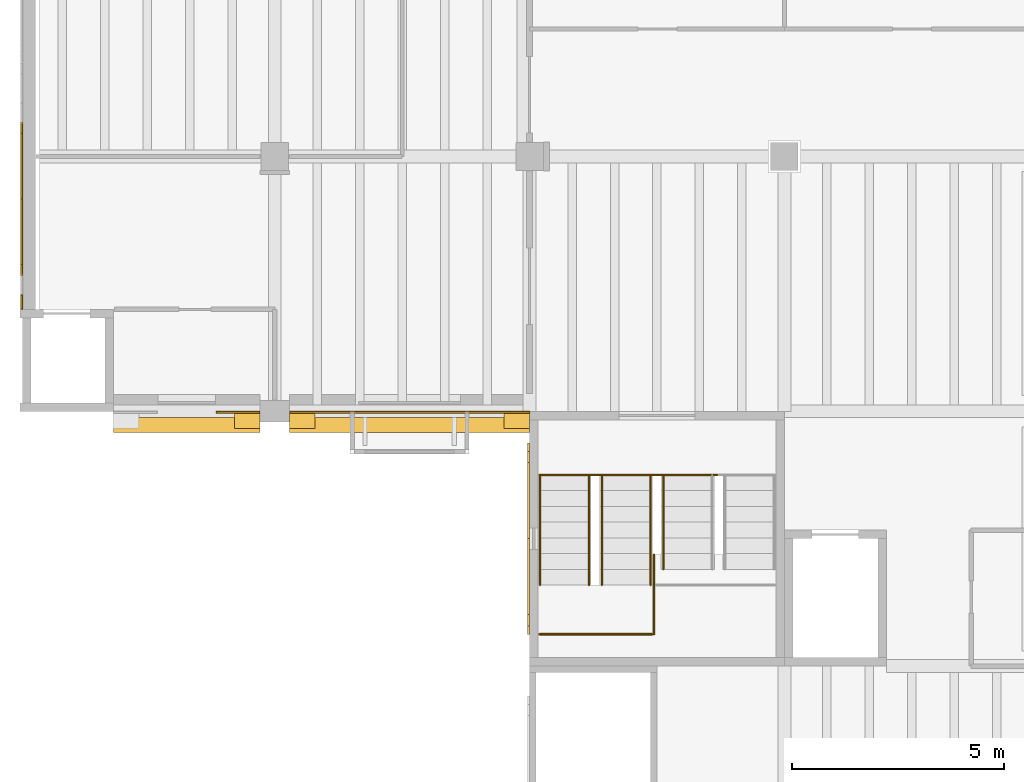
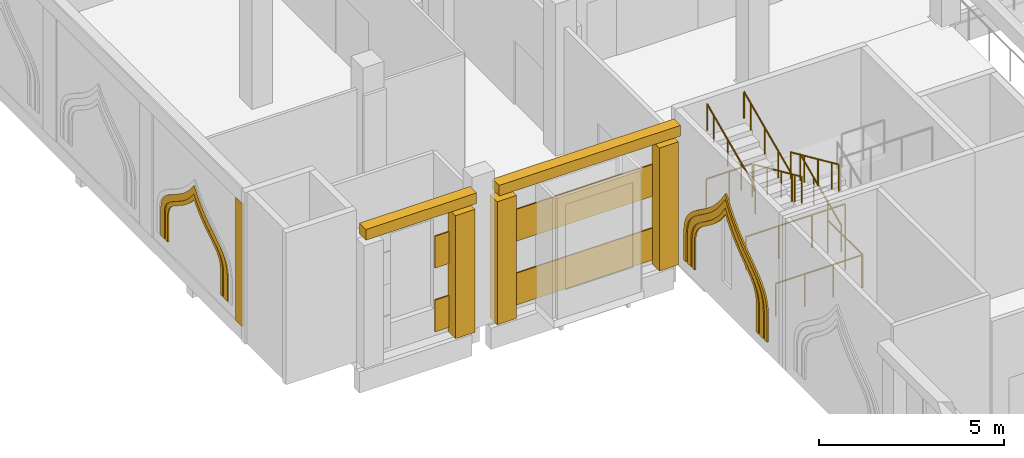
# One storey, part 73 of 80: 15 coverings, 9 railings.
"""IFC4 building model written with IfcOpenShell, lengths in metres."""

import ifcopenshell
import ifcopenshell.guid

model = None  # the IFC model being written
_history = None  # IfcOwnerHistory: only IFC2X3 demands one
_inside = {}  # id of a spatial element -> (the spatial element, [elements in it])
_under = {}  # id of a project, library or spatial element -> (it, [spatial elements below it])
_declared = {}  # id of a project -> (the project, [libraries it declares])
_typed = {}  # id of a type object -> (the type object, [elements of that type])
_made_of = {}  # id of a material, layer set ... -> (it, [elements and type objects made of it])


def new_model(schema):
    """Start an empty IFC model of exactly this schema.

    Asked for "IFC4X3", IfcOpenShell would pick the latest addendum, in which some entities
    have other attributes; the version numbers below select the first issue.
    IFC2X3 requires an IfcOwnerHistory on every rooted entity: one is made here for all.
    """
    global model, _history
    if schema == "IFC4X3":
        model = ifcopenshell.file(schema_version=(4, 3, 0, 0))
    else:
        model = ifcopenshell.file(schema=schema)
    _inside.clear()
    _under.clear()
    _declared.clear()
    _typed.clear()
    _made_of.clear()
    _history = None
    if model.schema == "IFC2X3":
        org = make("IfcOrganization", Name="unknown")
        user = make(
            "IfcPersonAndOrganization",
            ThePerson=make("IfcPerson", FamilyName="unknown"),
            TheOrganization=org,
        )
        app = make(
            "IfcApplication",
            ApplicationDeveloper=org,
            Version="unknown",
            ApplicationFullName="unknown",
            ApplicationIdentifier="unknown",
        )
        _history = make(
            "IfcOwnerHistory",
            OwningUser=user,
            OwningApplication=app,
            ChangeAction="ADDED",
            CreationDate=0,
        )
    return model


def make(cls, **values):
    """One entity of the class cls with the attributes given. An attribute that is None is left unset."""
    return model.create_entity(
        cls, **{name: value for name, value in values.items() if value is not None}
    )


def rooted(cls, **values):
    """An entity with a GlobalId (a new one), such as an element, a storey or a relation."""
    return make(cls, GlobalId=ifcopenshell.guid.new(), OwnerHistory=_history, **values)


def si_unit(unit_type, name, prefix=None):
    """IfcSIUnit, for example si_unit("LENGTHUNIT", "METRE", prefix="MILLI")."""
    return make("IfcSIUnit", UnitType=unit_type, Prefix=prefix, Name=name)


def assignment(units):
    """IfcUnitAssignment: the units of a project."""
    return None if units is None else make("IfcUnitAssignment", Units=units)


def point(xyz):
    """IfcCartesianPoint."""
    return None if xyz is None else make("IfcCartesianPoint", Coordinates=xyz)


def direction(xyz):
    """IfcDirection."""
    return None if xyz is None else make("IfcDirection", DirectionRatios=xyz)


def frame(location, z_axis=None, x_axis=None):
    """IfcAxis2Placement3D, a coordinate frame: its origin and axes. An axis left out is left unset."""
    return make(
        "IfcAxis2Placement3D",
        Location=point(location),
        Axis=direction(z_axis),
        RefDirection=direction(x_axis),
    )


def frame_2d(location, x_axis=None):
    """IfcAxis2Placement2D, a coordinate frame in the plane: its origin and x axis."""
    return make(
        "IfcAxis2Placement2D", Location=point(location), RefDirection=direction(x_axis)
    )


def origin():
    """The frame at (0, 0, 0) with its axes left unset."""
    return frame((0.0, 0.0, 0.0))


def origin_2d():
    """The frame at (0, 0) in the plane with its x axis left unset."""
    return frame_2d((0.0, 0.0))


def place(relative_to, where):
    """IfcLocalPlacement: puts the frame where relative to a parent placement (None: the world)."""
    return make(
        "IfcLocalPlacement", PlacementRelTo=relative_to, RelativePlacement=where
    )


def context(
    kind, dimensions, precision=None, world=None, true_north=None, identifier=None
):
    """IfcGeometricRepresentationContext, for example the 3D "Model" context."""
    return make(
        "IfcGeometricRepresentationContext",
        ContextIdentifier=identifier,
        ContextType=kind,
        CoordinateSpaceDimension=dimensions,
        Precision=precision,
        WorldCoordinateSystem=world,
        TrueNorth=true_north,
    )


def subcontext(parent, identifier, kind, view, scale=None):
    """IfcGeometricRepresentationSubContext, for example "Body" below "Model"."""
    return make(
        "IfcGeometricRepresentationSubContext",
        ContextIdentifier=identifier,
        ContextType=kind,
        ParentContext=parent,
        TargetScale=scale,
        TargetView=view,
    )


def project(units=None, contexts=None):
    """IfcProject with its units and contexts."""
    return rooted(
        "IfcProject",
        Name="project",
        RepresentationContexts=contexts,
        UnitsInContext=assignment(units),
    )


def spatial(cls, under=None, at=None, **own):
    """A site, building, storey or space (cls), placed at a placement, below another one or the project."""
    s = rooted(cls, ObjectPlacement=at, **own)
    if under is not None:
        _under.setdefault(under.id(), (under, []))[1].append(s)
    return s


def polyline(points):
    """IfcPolyline through the points."""
    return make("IfcPolyline", Points=[point(p) for p in points])


def profile(cls, at=None, kind="AREA", **sizes):
    """A parametric profile (cls). Its sizes go by their IFC names, for example OverallWidth=200.0."""
    return make(cls, ProfileType=kind, Position=at, **sizes)


def rectangle(**sizes):
    """IfcRectangleProfileDef."""
    return profile("IfcRectangleProfileDef", **sizes)


def circle(**sizes):
    """IfcCircleProfileDef."""
    return profile("IfcCircleProfileDef", **sizes)


def outline(outer, holes=None, kind="AREA"):
    """IfcArbitraryClosedProfileDef: a profile drawn as a closed curve; with holes, ...WithVoids."""
    if holes is None:
        return make("IfcArbitraryClosedProfileDef", ProfileType=kind, OuterCurve=outer)
    return make(
        "IfcArbitraryProfileDefWithVoids",
        ProfileType=kind,
        OuterCurve=outer,
        InnerCurves=holes,
    )


def extrude(swept, where, along, depth):
    """IfcExtrudedAreaSolid: the profile swept, set in the frame where, extruded along a direction by depth."""
    return make(
        "IfcExtrudedAreaSolid",
        SweptArea=swept,
        Position=where,
        ExtrudedDirection=direction(along),
        Depth=depth,
    )


def shape(context_of_items, identifier, shape_type, items):
    """IfcShapeRepresentation: the items that make up one representation, for example the "Body"."""
    return make(
        "IfcShapeRepresentation",
        ContextOfItems=context_of_items,
        RepresentationIdentifier=identifier,
        RepresentationType=shape_type,
        Items=items,
    )


def material(Name=None, Category=None):
    """IfcMaterial."""
    return make("IfcMaterial", Name=Name, Category=Category)


def layer(
    of_material, thickness, ventilated=None, Name=None, Category=None, Priority=None
):
    """IfcMaterialLayer: one layer of a wall or slab, of a material (None: an air gap)."""
    return make(
        "IfcMaterialLayer",
        Material=of_material,
        LayerThickness=thickness,
        IsVentilated=ventilated,
        Name=Name,
        Category=Category,
        Priority=Priority,
    )


def layer_set(layers, Name=None):
    """IfcMaterialLayerSet."""
    return make("IfcMaterialLayerSet", MaterialLayers=layers, LayerSetName=Name)


def made_of(thing, what):
    """Note that an element or type object is made of a material, layer set ...; save() writes the relation."""
    if what is not None:
        _made_of.setdefault(what.id(), (what, []))[1].append(thing)
    return thing


def type_object(cls, material=None, **own):
    """A type object (cls), such as IfcWallType, which elements share."""
    return made_of(rooted(cls, **own), material)


def element(
    cls,
    number,
    at=None,
    inside=None,
    cuts=None,
    type_object=None,
    material=None,
    context=None,
    identifier="Body",
    shape_type=None,
    held_by="IfcProductDefinitionShape",
    body=None,
    shapes=None,
    **own,
):
    """One element of the class cls, such as IfcWall. Its Tag is "e" and its number.

    at: its placement. inside: the storey or other place that contains it. cuts: it is an
    opening in that element (IfcRelVoidsElement). A single representation is given by context,
    identifier, shape_type and body (its items); several are given by shapes. held_by: the class
    of the entity that holds the representations. save() writes the other relations.
    """
    e = rooted(cls, Tag="e%d" % number, ObjectPlacement=at, **own)
    if body is not None:
        shapes = [shape(context, identifier, shape_type, body)]
    if shapes is not None:
        e.Representation = make(held_by, Representations=shapes)
    if inside is not None:
        _inside.setdefault(inside.id(), (inside, []))[1].append(e)
    if cuts is not None:
        rooted(
            "IfcRelVoidsElement", RelatingBuildingElement=cuts, RelatedOpeningElement=e
        )
    if type_object is not None:
        _typed.setdefault(type_object.id(), (type_object, []))[1].append(e)
    return made_of(e, material)


def aggregate(whole, parts):
    """IfcRelAggregates: a whole, such as a stair, and the parts it consists of."""
    return rooted("IfcRelAggregates", RelatingObject=whole, RelatedObjects=parts)


def save(model, path):
    """Write the relations noted so far, then the file.

    IfcRelAggregates (storeys below a building ...), IfcRelContainedInSpatialStructure (elements
    in a storey), IfcRelDefinesByType, IfcRelAssociatesMaterial and IfcRelDeclares: one each for
    every whole, place, type object, material and project.
    """
    for whole, parts in _under.values():
        aggregate(whole, parts)
    for where, things in _inside.values():
        rooted(
            "IfcRelContainedInSpatialStructure",
            RelatedElements=things,
            RelatingStructure=where,
        )
    for kind, things in _typed.values():
        rooted("IfcRelDefinesByType", RelatedObjects=things, RelatingType=kind)
    for what, things in _made_of.values():
        rooted("IfcRelAssociatesMaterial", RelatedObjects=things, RelatingMaterial=what)
    for by, libraries in _declared.values():
        rooted("IfcRelDeclares", RelatingContext=by, RelatedDefinitions=libraries)
    model.write(path)


model = new_model("IFC4")

# Units and contexts
model_context = context("Model", 3, precision=1e-05, world=origin(), true_north=direction((0.0, 1.0)))
body_context = subcontext(model_context, "Body", "Model", "MODEL_VIEW")
ifc_project = project(units=[si_unit("LENGTHUNIT", "METRE"), si_unit("AREAUNIT", "SQUARE_METRE"), si_unit("VOLUMEUNIT", "CUBIC_METRE"), si_unit("PLANEANGLEUNIT", "RADIAN"), si_unit("MASSUNIT", "GRAM", prefix="KILO")], contexts=[model_context])

# Site, building, storey
site_placement = place(None, origin())
site = spatial("IfcSite", under=ifc_project, at=site_placement, CompositionType="ELEMENT")
building_placement = place(site_placement, origin())
building = spatial("IfcBuilding", under=site, at=building_placement, Name="Saffron Lane Theatres", CompositionType="ELEMENT")
storey_placement = place(building_placement, frame((0.0, 0.0, 7.0)))
storey = spatial("IfcBuildingStorey", under=building, at=storey_placement, Name="L01", CompositionType="ELEMENT", Elevation=7.0)

# Coverings
ifc_material_1 = material(Name="Masonry sandstone", Category="masonry")
ifc_layer_1 = layer(ifc_material_1, 0.050048828125)
ifc_layer_set_1 = layer_set([ifc_layer_1], Name="Masonry sandstone")
covering_type_1 = type_object("IfcCoveringType", Name="EX-ARCH FRAME RING SANDSTONE 50", PredefinedType="CLADDING", material=ifc_layer_set_1)
covering_1_placement = place(storey_placement, frame((12.0, 97.220947265625, 1.466064453125), z_axis=(1.0, 0.0, 0.0), x_axis=(0.0, -0.06442827163, -0.997922340573)))
element("IfcCovering", 1, at=covering_1_placement, inside=storey, type_object=covering_type_1, Name="Arch recess ring L01", PredefinedType="CLADDING", context=body_context, shape_type="SweptSolid", body=[
    extrude(outline(polyline([(0.0, 0.0), (0.17052029873114202, -1.734723475976807e-18), (1.0646548177504682, 0.057727479707130096), (1.0569158749668421, 0.17759510460018418), (0.1666794900903794, 0.12011929782910698), (0.009378312325415084, 0.11999416045256955), (-0.12631115114749694, 0.14132553905751855), (-0.24603161728210898, 0.1805686902487979), (-0.35582673200113546, 0.23659947491203814), (-0.4578891957599371, 0.3092763270207095), (-0.555794861524932, 0.3971451362776176), (-0.653316026970957, 0.49800516267527767), (-0.7518515741675732, 0.6107874953269541), (-0.8559833487339207, 0.734462372469297), (-0.9676838373063142, 0.8654773607007713), (-1.0898294518163916, 1.00291280516755), (-1.2261138421464728, 1.1433497989425043), (-1.3797199718461386, 1.2868274911490194), (-1.5533040390279798, 1.4290153595582635), (-1.7497739147406413, 1.569481016084268), (-1.8987485633254448, 1.6601689117707128), (-1.7626721527133515, 1.769260390906025), (-1.5858956842468284, 1.9338237310590929), (-1.4320364834281316, 2.0971521260967796), (-1.2981552200916107, 2.259190697337195), (-1.1810608911355616, 2.415986431955586), (-1.077601992127411, 2.5679874475964257), (-0.9836759046637523, 2.7122781832046896), (-0.8963118394619282, 2.8483164933306306), (-0.8130968822475313, 2.9728330766257725), (-0.7293548100504015, 3.0853958945498916), (-0.6435609043329518, 3.185124790918292), (-0.5516911944842918, 3.270322371595594), (-0.45001253195297086, 3.340006413039703), (-0.33633221628362797, 3.394318481277149), (-0.20451222420252907, 3.432920915118727), (-0.04850087023483576, 3.45302398997744), (0.841735514641627, 3.510499796748517), (0.8339965718580008, 3.6303674216415716), (-0.06013794716132548, 3.5726399419344412), (-0.22924258562717004, 3.5507129373808337), (-0.378596141799031, 3.507064111625651), (-0.5108079746597345, 3.444216136307078), (-0.6259724615603004, 3.3636308117286893), (-0.7289703097314318, 3.2689074104217855), (-0.8232595752236446, 3.1605566187191068), (-0.9107501759849842, 3.0416355637022074), (-0.996699979104489, 2.914006625097878), (-1.0852822112259581, 2.7778896671794207), (-1.1770785164682693, 2.6347150311334024), (-1.2787771031070279, 2.485763452567737), (-1.393199504391982, 2.333054606794249), (-1.5222947873945643, 2.1764626573449113), (-1.670393474343606, 2.018643802332316), (-1.8417002509999132, 1.8603051727976225), (-2.106324206432929, 1.6467673279258968), (-1.816438580043605, 1.469029958207694), (-1.6261934149493182, 1.3340339934919054), (-1.4590305030942705, 1.196569187182587), (-1.3108709951856827, 1.0578774753100109), (-1.1777618783988018, 0.9211498609758807), (-1.057754085662196, 0.786512180648223), (-0.9483092157791764, 0.6563301599259349), (-0.842959274293184, 0.5327339305761084), (-0.7413113717873806, 0.417216752019324), (-0.6392551998519803, 0.31053329351799586), (-0.5318160234510044, 0.21520657625605405), (-0.4174928931574932, 0.13451394113409837), (-0.29292213027195085, 0.06940650212296195), (-0.15372637343577983, 0.024081254977071236), (0.0, 0.0)])), origin(), (0.0, 0.0, -1.0), 0.050048828125),
])
covering_2_placement = place(storey_placement, frame((12.0, 96.962890625, 1.489013671875), z_axis=(1.0, 0.0, 0.0), x_axis=(0.0, -0.067277250526, -0.997734319126)))
element("IfcCovering", 2, at=covering_2_placement, inside=storey, type_object=covering_type_1, Name="Arch recess ring L01", PredefinedType="CLADDING", context=body_context, shape_type="SweptSolid", body=[
    extrude(outline(polyline([(0.0, 0.0), (0.19233029031026627, 1.734723475976807e-18), (1.0875142802486646, 0.060362279219764774), (1.0740621151654026, 0.2598604255488935), (0.18496781223338807, 0.19990877407892305), (0.015584020397099685, 0.20072197197738367), (-0.12930993244145556, 0.22300681743565523), (-0.25737744477051455, 0.26428900709195824), (-0.3738324043353903, 0.32568513851799763), (-0.4833823096412719, 0.4044308347113844), (-0.5899409854822366, 0.5005068813925055), (-0.6969186565818595, 0.6136833270214763), (-0.806455545762842, 0.7394113458537827), (-0.9222383154489977, 0.8779317362000586), (-1.0464893140129872, 1.0259136097170674), (-1.1832181277392173, 1.1811290396929053), (-1.336190755431839, 1.3413665245256616), (-1.5076131203535217, 1.5030515883918443), (-1.7018369469288772, 1.6654014043510899), (-1.9220589334515876, 1.8250193836201942), (-2.049700012736332, 1.9035239715952115), (-1.9337536117657297, 1.998453669562001), (-1.7369538320912872, 2.1861914371370204), (-1.5662836132441338, 2.3731460678639418), (-1.4181192040708015, 2.55638087603933), (-1.288043179706711, 2.735704338682526), (-1.1733897138094234, 2.9078704821698738), (-1.0701300058149192, 3.071193408419198), (-0.9739916676789238, 3.224003644458316), (-0.88232529816899, 3.363298804143827), (-0.7915099353012716, 3.489812439086117), (-0.6988140522933629, 3.5993242257405087), (-0.6008274244216893, 3.6920641156468856), (-0.493669077112157, 3.768538498045372), (-0.3723030096597413, 3.8266400003332506), (-0.23171243563903043, 3.8681750747018797), (-0.06397115480191937, 3.8917206248289538), (0.8251231481300952, 3.9516722762989245), (0.8116709830468334, 4.151170422628053), (-0.08351300689156488, 4.090808143408289), (-0.27410223554270324, 4.064987870501222), (-0.4451520913660816, 4.014302770236232), (-0.5955924629503493, 3.941027255485577), (-0.7275034510174831, 3.846978625211365), (-0.844380195010638, 3.73681510258881), (-0.9502679206038257, 3.612466173180341), (-1.0472960038489982, 3.476479898388833), (-1.1427584332134457, 3.3317901747481002), (-1.2394961329102734, 3.176981963536964), (-1.3410042423826358, 3.0167134879306374), (-1.452105235905665, 2.849925483288521), (-1.5768114889333888, 2.678060260212532), (-1.7181938772187972, 2.503113004705068), (-1.8797283259254323, 2.325828115147266), (-2.066256523608039, 2.1490601516926002), (-2.3929147724161153, 1.8803809916168037), (-2.033143501864625, 1.6579877914978223), (-1.8245728065730595, 1.5078613564498122), (-1.6407002082776134, 1.3538672728603436), (-1.4771110712833284, 1.199484255062579), (-1.3304608713065962, 1.045916604517425), (-1.197974384574279, 0.8955537098670809), (-1.0758691871722335, 0.7503634852332024), (-0.9592242541653773, 0.6099436703748589), (-0.8452014505102268, 0.4793795413270504), (-0.7307956008937585, 0.35765026200840155), (-0.6091726199284526, 0.24864238533224842), (-0.47856448398217566, 0.15516677446133414), (-0.335221619360768, 0.07967851847782517), (-0.17630589102074565, 0.02726289341672148), (0.0, 0.0)])), origin(), (0.0, 0.0, -1.0), 0.050048828125),
])
covering_3_placement = place(storey_placement, frame((12.0, 96.763916015625, 1.5029296875), z_axis=(1.0, 0.0, 0.0), x_axis=(0.0, -0.067065646472, -0.997748565052)))
element("IfcCovering", 3, at=covering_3_placement, inside=storey, type_object=covering_type_1, Name="Arch recess ring L01", PredefinedType="CLADDING", context=body_context, shape_type="SweptSolid", body=[
    extrude(outline(polyline([(0.0, 0.0), (0.2074984191926236, 1.734723475976807e-18), (1.1014772360238896, 0.06009055726342236), (1.0920952498353498, 0.19966817634906692), (0.20201388833631823, 0.13983959426717446), (0.011615956568756983, 0.14025496281157382), (-0.1545495581607764, 0.1660342398852799), (-0.3013217281198837, 0.216362774594851), (-0.43524275150959957, 0.2866410640821107), (-0.5608118797206071, 0.37827952297569045), (-0.6812756516801551, 0.4886130134091051), (-0.8002551848645222, 0.616908751733141), (-0.9221167322992069, 0.7589581870874968), (-1.0488253950991717, 0.9148739228396727), (-1.186176225141812, 1.079861985519764), (-1.3360197094001713, 1.2523298417874185), (-1.5023331596762923, 1.4295632334296131), (-1.689857407544703, 1.6092859638033192), (-1.9023752941957186, 1.789530921019154), (-2.1427587800075587, 1.9657006129933605), (-2.3310778582787033, 2.0844417257822565), (-2.1603438640677535, 2.227317302169595), (-1.945699439841227, 2.434072596587418), (-1.7592153368547458, 2.6411372630123773), (-1.5974301505716484, 2.844339519030701), (-1.456331811517781, 3.0422362031160675), (-1.3309175129370854, 3.2332060565792715), (-1.2168824740506068, 3.4150915184680417), (-1.1121797264991542, 3.5865620306235555), (-1.01042477424689, 3.74364229201819), (-0.9096852630765426, 3.886706881200974), (-0.805070989599554, 4.01216943836774), (-0.6928953425442629, 4.119788383334645), (-0.5695843140065082, 4.207357034802879), (-0.4308678808794456, 4.276875251559516), (-0.2696471477012892, 4.324660443881734), (-0.08101754840905481, 4.350552898829916), (0.8090638130899768, 4.410381480911808), (0.799681826901437, 4.549959099997453), (-0.09429698992982904, 4.4898685427340315), (-0.299928835954052, 4.462099173491861), (-0.48175454911721033, 4.407790454445362), (-0.6417883508808035, 4.327785761836828), (-0.782322811336707, 4.22706951819905), (-0.9076463378150302, 4.107555693526036), (-1.0206021653451405, 3.9715000894631314), (-1.1270384876998094, 3.8221799810608545), (-1.2304638189878152, 3.660827685784956), (-1.3361409303723266, 3.48929167983406), (-1.4482927353880704, 3.3085115693691134), (-1.5720202814841786, 3.1215701588289084), (-1.7092559228779225, 2.928092869664417), (-1.8663186618097571, 2.7310806390702025), (-2.046457047981351, 2.531538567002596), (-2.253455933357439, 2.3311697793950295), (-2.5685790425867374, 2.0684776131577776), (-2.2211347453361867, 1.85032122778061), (-1.9891827239193753, 1.6794573949928497), (-1.7839602141162927, 1.5058181189990123), (-1.6019443391437345, 1.3315977291979), (-1.440050283788488, 1.1582270352158286), (-1.292417502377776, 0.9895256466896438), (-1.1570808937966353, 0.8253809602518462), (-1.0293978671636117, 0.6695307182950527), (-0.9053092434324345, 0.5234712242409627), (-0.7798469735191562, 0.38973863913971574), (-0.6496990247011458, 0.27002373702473836), (-0.5095084066710004, 0.16835697159344964), (-0.356759353376265, 0.08735436036579791), (-0.1874581795660513, 0.029486570596540487), (0.0, 0.0)])), origin(), (0.0, 0.0, -1.0), 0.050048828125),
])
ifc_material_2 = material(Name="Face brick cladding, pale buff", Category="masonry")
ifc_layer_2 = layer(ifc_material_2, 0.0400390625)
ifc_layer_set_2 = layer_set([ifc_layer_2], Name="Face brick cladding, pale buff")
covering_type_2 = type_object("IfcCoveringType", Name="EX-FACE BRICK CLADDING PALE BUFF 40", PredefinedType="CLADDING", material=ifc_layer_set_2)
for number, where, z_axis, x_axis, name in (
    (4, (9.175048828125, 101.97998046875, 0.14990234375), (0.0, 0.0, 1.0), (-1.0, 0.0, 0.0), "Cladding course L01"),
    (5, (9.175048828125, 101.97998046875, 2.25), (0.0, 0.0, 1.0), (-1.0, 0.0, 0.0), "Cladding course L01"),
):
    element("IfcCovering", number, at=place(storey_placement, frame(where, z_axis=z_axis, x_axis=x_axis)), inside=storey, type_object=covering_type_2, Name=name, PredefinedType="CLADDING", context=body_context, shape_type="SweptSolid", body=[
        extrude(rectangle(XDim=5.64990234375, YDim=0.0400390625, at=origin_2d()), origin(), (0.0, 0.0, 1.0), 1.050048828125),
    ])
for number, where, z_axis, x_axis, name in (
    (6, (5.135009765625, 101.97998046875, 0.14990234375), (0.0, 0.0, 1.0), (-1.0, 0.0, 0.0), "Cladding course L01"),
    (7, (5.135009765625, 101.97998046875, 2.25), (0.0, 0.0, 1.0), (-1.0, 0.0, 0.0), "Cladding course L01"),
):
    element("IfcCovering", number, at=place(storey_placement, frame(where, z_axis=z_axis, x_axis=x_axis)), inside=storey, type_object=covering_type_2, Name=name, PredefinedType="CLADDING", context=body_context, shape_type="SweptSolid", body=[
        extrude(rectangle(XDim=1.030029296875, YDim=0.0400390625, at=origin_2d()), origin(), (0.0, 0.0, 1.0), 1.050048828125),
    ])
ifc_material_3 = material(Name="Face brick cladding, pale buff", Category="masonry")
ifc_layer_3 = layer(ifc_material_3, 0.0400390625)
ifc_layer_set_3 = layer_set([ifc_layer_3], Name="Face brick cladding, pale buff")
covering_type_3 = type_object("IfcCoveringType", Name="EX-FACE BRICK SKIN PALE BUFF 40", PredefinedType="CLADDING", material=ifc_layer_set_3)
covering_4_placement = place(storey_placement, frame((0.0400390625, 104.574951171875, 0.4501953125), z_axis=(0.0, 0.0, 1.0), x_axis=(0.0, 1.0, 0.0)))
element("IfcCovering", 8, at=covering_4_placement, inside=storey, type_object=covering_type_3, Name="Face brick cladding, pale buff L01", PredefinedType="CLADDING", context=body_context, shape_type="SweptSolid", body=[
    extrude(rectangle(XDim=0.35009765625, YDim=0.0400390625, at=origin_2d()), origin(), (0.0, 0.0, 1.0), 4.050048828125),
])
ifc_material_4 = material(Name="Face brick cladding, pale buff", Category="masonry")
ifc_layer_4 = layer(ifc_material_4, 0.0400390625)
ifc_layer_set_4 = layer_set([ifc_layer_4], Name="Face brick cladding, pale buff")
covering_type_4 = type_object("IfcCoveringType", Name="EX-NICHE FRAME RING FACE BRICK PALE BUFF", PredefinedType="CLADDING", material=ifc_layer_set_4)
covering_5_placement = place(storey_placement, frame((0.06005859375, 105.469970703125, 1.779052734375), z_axis=(1.0, 0.0, 0.0), x_axis=(0.0, -0.07860220859, -0.996906060171)))
element("IfcCovering", 9, at=covering_5_placement, inside=storey, type_object=covering_type_4, Name="Court wall niche ring", PredefinedType="CLADDING", context=body_context, shape_type="SweptSolid", body=[
    extrude(outline(polyline([(0.0, 0.0), (0.12734712935568301, 0.0), (0.9767617167568374, 0.0669730732373987), (0.967320240529674, 0.18671862538678782), (0.12204320269465704, 0.12007178201902688), (0.010592875767061343, 0.12034559044619773), (-0.08499107189102162, 0.13680919972095837), (-0.17081246198683145, 0.1692262453036143), (-0.2496192078125393, 0.215175979868819), (-0.32465207782922384, 0.2753824745906466), (-0.3966604178350056, 0.3500315447606985), (-0.46951311750337926, 0.4353895667489884), (-0.5444654831619896, 0.5318473611310508), (-0.6230485017600262, 0.6370801305431976), (-0.707036545515275, 0.7487438876294084), (-0.799536052942493, 0.8658590066835835), (-0.9023213962594663, 0.9860815003497027), (-1.0182556287123556, 1.1084509329139975), (-1.1481395814445619, 1.2307000769897745), (-1.2952846982547752, 1.351343346341409), (-1.4012003505647719, 1.4242985486517494), (-1.3081036131323058, 1.5139247057637504), (-1.1816069280709296, 1.6551639854217555), (-1.07248654704155, 1.796257701967196), (-0.9771623663528345, 1.935284047875348), (-0.8944881349994125, 2.0701293156981713), (-0.8214856597811334, 2.2002936295378572), (-0.7560351486182421, 2.3237400419156904), (-0.6949150230419914, 2.4399878669261943), (-0.636005490972626, 2.547000157090655), (-0.5774301455989872, 2.642720774938027), (-0.5180104405627566, 2.72773244096716), (-0.45334016640515384, 2.7989539912873447), (-0.38270835731272157, 2.8566863811441725), (-0.3030277647630343, 2.9021526215123385), (-0.21120505560195135, 2.933392524882456), (-0.10117478810689648, 2.9511292263314135), (0.7441022497281204, 3.0177760696991744), (0.7346607735009572, 3.1375216218485633), (-0.11475381390019726, 3.0705485486111646), (-0.24052736388468637, 3.0505909565862663), (-0.35280145633676196, 3.01161608216072), (-0.4508328300900183, 2.956621308527008), (-0.5363443720169613, 2.885715691007405), (-0.6111034336064749, 2.8026782539454618), (-0.6779407727517719, 2.7092449895743025), (-0.7401547278909256, 2.606870124873789), (-0.8007810622010818, 2.496783691547519), (-0.8616578025087362, 2.3805550565293467), (-0.927185073640954, 2.258082185225899), (-0.9984899366107739, 2.1312353998166182), (-1.0785505846183463, 2.0005145761993157), (-1.1694100497740998, 1.866983120778319), (-1.2741424752398438, 1.7323578357944192), (-1.3946757531720166, 1.5962418160403669), (-1.5886070073839378, 1.4095222545563921), (-1.3678097639077307, 1.25550244000552), (-1.2274340339046494, 1.139958092030978), (-1.1028975363526603, 1.0234097798234763), (-0.9922339991106616, 0.9057676380530715), (-0.8926763188941502, 0.7892090287765138), (-0.8023733635160138, 0.6751043982754378), (-0.7184620797300917, 0.5644141822636122), (-0.6401224464006514, 0.45916222285913383), (-0.562992718685291, 0.35993732519256866), (-0.4855035296501574, 0.2685775160904122), (-0.40484939602608483, 0.186773387072222), (-0.3180006392676425, 0.11647810491848354), (-0.22243354135892388, 0.05984984169361529), (-0.11699483056565724, 0.020897901649148194), (0.0, 0.0)])), origin(), (0.0, 0.0, -1.0), 0.0400390625),
])
covering_6_placement = place(storey_placement, frame((0.06005859375, 105.2119140625, 1.802978515625), z_axis=(1.0, 0.0, 0.0), x_axis=(0.0, -0.080069955876, -0.996789246614)))
element("IfcCovering", 10, at=covering_6_placement, inside=storey, type_object=covering_type_4, Name="Court wall niche ring", PredefinedType="CLADDING", context=body_context, shape_type="SweptSolid", body=[
    extrude(outline(polyline([(0.0, 0.0), (0.14940548541813506, 0.0), (1.0006673957348182, 0.06838005509101226), (0.9846573142255162, 0.26768923306395787), (0.14142617664766952, 0.19995427283229475), (0.016999466327598998, 0.2000013484002621), (-0.08681532624161539, 0.21786931906230955), (-0.17973292271737112, 0.2525328949059279), (-0.26516031759493225, 0.30371839932412054), (-0.34790600088031953, 0.3703047954864786), (-0.42975166313744967, 0.4531286720881506), (-0.5127115801516374, 0.5498238834205404), (-0.5976809856052451, 0.6593388091687165), (-0.6876671306113052, 0.7794724670574595), (-0.7842953191011652, 0.9091145917846245), (-0.8913898425539354, 1.0440391537614138), (-1.010069743072568, 1.1829316275941626), (-1.1436833701651141, 1.3247882664268895), (-1.2946535197999265, 1.4662304008942089), (-1.4662894448269137, 1.6057675706408159), (-1.5565879641526217, 1.6688081392769551), (-1.4775101857137751, 1.7454543449466409), (-1.3303487686839142, 1.9105998257765027), (-1.20389222370437, 2.0743270553849755), (-1.0946358146345232, 2.235692926630747), (-0.9996484889501691, 2.391748833387998), (-0.915542800485115, 2.5430118090133873), (-0.8407696438968422, 2.6854425304080207), (-0.7711137611248164, 2.8183998921674625), (-0.7047152682888366, 2.940073878597917), (-0.6382541410107306, 3.0487717639800156), (-0.5706787589755671, 3.1435983146313964), (-0.4996229764747496, 3.222539254766745), (-0.42346148957693114, 3.286704849688206), (-0.3372685183016637, 3.335755995728218), (-0.2376370681536834, 3.3699663694937776), (-0.11481332081745022, 3.3898745473980707), (0.7284178167603964, 3.457609507629734), (0.7124077352510942, 3.6569186856026796), (-0.13885417506558903, 3.5885386305116675), (-0.28634392423474775, 3.564689669044819), (-0.4200521014087196, 3.5186796844845962), (-0.5381491425646381, 3.452125203961538), (-0.6396332955739774, 3.3678008933672796), (-0.7271727078822092, 3.2684315504070494), (-0.8055583158937394, 3.158775796900463), (-0.8773018804214694, 3.039611576555454), (-0.9471835663415419, 2.9125143251169647), (-1.0177346827959297, 2.7785053430425912), (-1.0916907990181253, 2.638099668961536), (-1.1723132943990868, 2.4922599583441816), (-1.262737481554538, 2.3434285554879537), (-1.3659227381385621, 2.1918575939433205), (-1.485149991871188, 2.0387530859303276), (-1.6211688613304724, 1.8842997432114224), (-1.8695447442175888, 1.6436689880914086), (-1.5859427723441935, 1.4457708803210099), (-1.4270914545297624, 1.3159835394350303), (-1.2848753658094205, 1.1829005098458452), (-1.1588185642121078, 1.0497440742862705), (-1.0457965086503642, 0.9172550745335545), (-0.9429280147863919, 0.7861548040358755), (-0.8475078332440329, 0.6593547669883664), (-0.7564700679230412, 0.5383258754172612), (-0.6671964395643512, 0.4240132311913281), (-0.5773511223167018, 0.3178291013495876), (-0.48246672456908984, 0.22209175814168597), (-0.38028561378653897, 0.13918689560529046), (-0.26662285176585004, 0.07189995116029968), (-0.13933809594647373, 0.024076759342351206), (0.0, 0.0)])), origin(), (0.0, 0.0, -1.0), 0.0400390625),
])
ifc_material_5 = material(Name="Masonry sandstone", Category="masonry")
ifc_layer_5 = layer(ifc_material_5, 0.39990234375)
ifc_layer_set_5 = layer_set([ifc_layer_5], Name="Masonry sandstone")
covering_type_5 = type_object("IfcCoveringType", Name="EX-PILASTER PIER SANDSTONE 400", PredefinedType="CLADDING", material=ifc_layer_set_5)
for number, where, z_axis, x_axis, name in (
    (11, (11.699951171875, 101.800048828125, 0.0), (0.0, 0.0, 1.0), (-1.0, 0.0, 0.0), "Pilaster pier L01"),
    (12, (6.64990234375, 101.800048828125, 0.0), (0.0, 0.0, 1.0), (-1.0, 0.0, 0.0), "Pilaster pier L01"),
    (13, (5.35009765625, 101.800048828125, 0.0), (0.0, 0.0, 1.0), (-1.0, 0.0, 0.0), "Pilaster pier L01"),
):
    element("IfcCovering", number, at=place(storey_placement, frame(where, z_axis=z_axis, x_axis=x_axis)), inside=storey, type_object=covering_type_5, Name=name, PredefinedType="CLADDING", context=body_context, shape_type="SweptSolid", body=[
        extrude(rectangle(XDim=0.60009765625, YDim=0.39990234375, at=origin_2d()), origin(), (0.0, 0.0, 1.0), 4.050048828125),
    ])
ifc_material_6 = material(Name="Masonry sandstone", Category="masonry")
ifc_layer_6 = layer(ifc_material_6, 0.300048828125)
ifc_layer_set_6 = layer_set([ifc_layer_6], Name="Masonry sandstone")
covering_type_6 = type_object("IfcCoveringType", Name="EX-STRING COURSE SANDSTONE 350", PredefinedType="CLADDING", material=ifc_layer_set_6)
covering_7_placement = place(storey_placement, frame((9.175048828125, 101.675048828125, 4.300048828125), z_axis=(0.0, 0.0, 1.0), x_axis=(-1.0, 0.0, 0.0)))
element("IfcCovering", 14, at=covering_7_placement, inside=storey, type_object=covering_type_6, Name="String course L01", PredefinedType="CLADDING", context=body_context, shape_type="SweptSolid", body=[
    extrude(rectangle(XDim=5.64990234375, YDim=0.35009765625, at=origin_2d()), origin(), (0.0, 0.0, 1.0), 0.35009765625),
])
covering_8_placement = place(storey_placement, frame((3.925048828125, 101.675048828125, 4.300048828125), z_axis=(0.0, 0.0, 1.0), x_axis=(-1.0, 0.0, 0.0)))
element("IfcCovering", 15, at=covering_8_placement, inside=storey, type_object=covering_type_6, Name="String course L01", PredefinedType="CLADDING", context=body_context, shape_type="SweptSolid", body=[
    extrude(rectangle(XDim=3.449951171875, YDim=0.35009765625, at=origin_2d()), origin(), (0.0, 0.0, 1.0), 0.35009765625),
])

# Railings
ifc_material_7 = material(Name="Steel Grade 350", Category="steel")
railing_type_1 = type_object("IfcRailingType", Name="VC-GUARD 1100", PredefinedType="GUARDRAIL", material=ifc_material_7)
railing_1_placement = place(storey_placement, frame((14.89990234375, 96.75, 1.166748046875)))
element("IfcRailing", 16, at=railing_1_placement, inside=storey, type_object=railing_type_1, Name="Brick Block West Stair landing guard 2N1s", PredefinedType="GUARDRAIL", context=body_context, shape_type="SweptSolid", body=[
    extrude(circle(Radius=0.02392578125, at=origin_2d()), frame((0.0, 0.0, 1.076171875), z_axis=(-1.0, 0.0, 0.0), x_axis=(0.0, -1.0, 0.0)), (0.0, 0.0, 1.0), 2.669921875),
    extrude(circle(Radius=0.02099609375, at=origin_2d()), origin(), (0.0, 0.0, 1.0), 1.052001953125),
    extrude(circle(Radius=0.02099609375, at=origin_2d()), frame((-0.889892578125, 0.0, 0.0)), (0.0, 0.0, 1.0), 1.052001953125),
    extrude(circle(Radius=0.02099609375, at=origin_2d()), frame((-1.780029296875, 0.0, 0.0)), (0.0, 0.0, 1.0), 1.052001953125),
    extrude(circle(Radius=0.02099609375, at=origin_2d()), frame((-2.669921875, 0.0, 0.0)), (0.0, 0.0, 1.0), 1.052001953125),
])
railing_2_placement = place(storey_placement, frame((14.929931640625, 98.6298828125, 1.166748046875)))
element("IfcRailing", 17, at=railing_2_placement, inside=storey, type_object=railing_type_1, Name="Brick Block West Stair landing guard 2N1e", PredefinedType="GUARDRAIL", context=body_context, shape_type="SweptSolid", body=[
    extrude(circle(Radius=0.02392578125, at=origin_2d()), frame((0.0, 0.0, 1.076171875), z_axis=(0.0, -1.0, 0.0), x_axis=(1.0, 0.0, 0.0)), (0.0, 0.0, 1.0), 1.8798828125),
    extrude(circle(Radius=0.02099609375, at=origin_2d()), origin(), (0.0, 0.0, 1.0), 1.052001953125),
    extrude(circle(Radius=0.02099609375, at=origin_2d()), frame((0.0, -0.93994140625, 0.0)), (0.0, 0.0, 1.0), 1.052001953125),
    extrude(circle(Radius=0.02099609375, at=origin_2d()), frame((0.0, -1.8798828125, 0.0)), (0.0, 0.0, 1.0), 1.052001953125),
])
railing_3_placement = place(storey_placement, frame((13.64990234375, 100.5, 2.333251953125)))
element("IfcRailing", 18, at=railing_3_placement, inside=storey, type_object=railing_type_1, Name="Brick Block West Stair landing guard 2S2e", PredefinedType="GUARDRAIL", context=body_context, shape_type="SweptSolid", body=[
    extrude(circle(Radius=0.02392578125, at=origin_2d()), frame((0.0, 0.0, 1.076171875), z_axis=(-1.0, 0.0, 0.0), x_axis=(0.0, -1.0, 0.0)), (0.0, 0.0, 1.0), 1.419921875),
    extrude(circle(Radius=0.02099609375, at=origin_2d()), origin(), (0.0, 0.0, 1.0), 1.052001953125),
    extrude(circle(Radius=0.02099609375, at=origin_2d()), frame((-0.7099609375, 0.0, 0.0)), (0.0, 0.0, 1.0), 1.052001953125),
    extrude(circle(Radius=0.02099609375, at=origin_2d()), frame((-1.419921875, 0.0, 0.0)), (0.0, 0.0, 1.0), 1.052001953125),
])
railing_4_placement = place(storey_placement, frame((16.550048828125, 100.5, 0.0)))
element("IfcRailing", 19, at=railing_4_placement, inside=storey, type_object=railing_type_1, Name="Brick Block West Stair guard L01", PredefinedType="GUARDRAIL", context=body_context, shape_type="SweptSolid", body=[
    extrude(circle(Radius=0.02392578125, at=origin_2d()), frame((0.0, 0.0, 1.076171875), z_axis=(-1.0, 0.0, 0.0), x_axis=(0.0, -1.0, 0.0)), (0.0, 0.0, 1.0), 3.10009765625),
    extrude(circle(Radius=0.02099609375, at=origin_2d()), origin(), (0.0, 0.0, 1.0), 1.052001953125),
    extrude(circle(Radius=0.02099609375, at=origin_2d()), frame((-1.033447265625, 0.0, 0.0)), (0.0, 0.0, 1.0), 1.052001953125),
    extrude(circle(Radius=0.02099609375, at=origin_2d()), frame((-2.066650390625, 0.0, 0.0)), (0.0, 0.0, 1.0), 1.052001953125),
    extrude(circle(Radius=0.02099609375, at=origin_2d()), frame((-3.10009765625, 0.0, 0.0)), (0.0, 0.0, 1.0), 1.052001953125),
])
ifc_material_8 = material(Name="Steel Grade 350", Category="steel")
railing_type_2 = type_object("IfcRailingType", Name="VC-HANDRAIL 900", PredefinedType="HANDRAIL", material=ifc_material_8)
railing_5_placement = place(storey_placement, frame((15.14990234375, 98.280029296875, 1.333251953125)))
element("IfcRailing", 20, at=railing_5_placement, inside=storey, type_object=railing_type_2, Name="Brick Block West Stair handrail 2.2b", PredefinedType="HANDRAIL", context=body_context, shape_type="SweptSolid", body=[
    extrude(circle(Radius=0.02392578125, at=origin_2d()), frame((0.0, 0.0, 0.8759765625), z_axis=(0.0, 0.911690610408, 0.410877391559), x_axis=(-1.0, 0.0, 0.0)), (0.0, 0.0, 1.0), 0.811767578125),
    extrude(circle(Radius=0.02392578125, at=origin_2d()), frame((0.0, 0.739990234375, 1.20947265625), z_axis=(0.0, 0.911803263409, 0.410627335715), x_axis=(-1.0, 0.0, 0.0)), (0.0, 0.0, 1.0), 0.8115234375),
    extrude(circle(Radius=0.02392578125, at=origin_2d()), frame((0.0, 1.47998046875, 1.54248046875), z_axis=(0.0, 0.911803263409, 0.410627335715), x_axis=(-1.0, 0.0, 0.0)), (0.0, 0.0, 1.0), 0.8115234375),
    extrude(circle(Radius=0.02099609375, at=origin_2d()), origin(), (0.0, 0.0, 1.0), 0.851806640625),
    extrude(circle(Radius=0.02099609375, at=origin_2d()), frame((0.0, 0.739990234375, 0.33349609375)), (0.0, 0.0, 1.0), 0.851806640625),
    extrude(circle(Radius=0.02099609375, at=origin_2d()), frame((0.0, 1.47998046875, 0.666748046875)), (0.0, 0.0, 1.0), 0.851806640625),
    extrude(circle(Radius=0.02099609375, at=origin_2d()), frame((0.0, 2.219970703125, 1.0)), (0.0, 0.0, 1.0), 0.851806640625),
])
for number, where, name in (
    (21, (14.85009765625, 100.5, 2.5), "Brick Block West Stair handrail 2.3a"),
    (22, (13.699951171875, 100.5, 2.5), "Brick Block West Stair handrail 2.3b"),
):
    element("IfcRailing", number, at=place(storey_placement, frame(where)), inside=storey, type_object=railing_type_2, Name=name, PredefinedType="HANDRAIL", context=body_context, shape_type="SweptSolid", body=[
        extrude(circle(Radius=0.02392578125, at=origin_2d()), frame((0.0, 0.0, 0.8759765625), z_axis=(0.0, -0.911803263409, 0.410627335715), x_axis=(1.0, 0.0, 0.0)), (0.0, 0.0, 1.0), 0.8115234375),
        extrude(circle(Radius=0.02392578125, at=origin_2d()), frame((0.0, -0.739990234375, 1.208984375), z_axis=(0.0, -0.911690610408, 0.410877391559), x_axis=(1.0, 0.0, 0.0)), (0.0, 0.0, 1.0), 0.811767578125),
        extrude(circle(Radius=0.02392578125, at=origin_2d()), frame((0.0, -1.47998046875, 1.54248046875), z_axis=(0.0, -0.911803263409, 0.410627335715), x_axis=(1.0, 0.0, 0.0)), (0.0, 0.0, 1.0), 0.8115234375),
        extrude(circle(Radius=0.02392578125, at=origin_2d()), frame((0.0, -2.219970703125, 1.8759765625), z_axis=(0.0, -0.911741368748, 0.410764745947), x_axis=(1.0, 0.0, 0.0)), (0.0, 0.0, 1.0), 0.406005859375),
        extrude(circle(Radius=0.02099609375, at=origin_2d()), origin(), (0.0, 0.0, 1.0), 0.851806640625),
        extrude(circle(Radius=0.02099609375, at=origin_2d()), frame((0.0, -0.739990234375, 0.333251953125)), (0.0, 0.0, 1.0), 0.851806640625),
        extrude(circle(Radius=0.02099609375, at=origin_2d()), frame((0.0, -1.47998046875, 0.666748046875)), (0.0, 0.0, 1.0), 0.851806640625),
        extrude(circle(Radius=0.02099609375, at=origin_2d()), frame((0.0, -2.219970703125, 1.0)), (0.0, 0.0, 1.0), 0.851806640625),
        extrude(circle(Radius=0.02099609375, at=origin_2d()), frame((0.0, -2.590087890625, 1.166748046875)), (0.0, 0.0, 1.0), 0.851806640625),
    ])
for number, where, name in (
    (23, (13.39990234375, 97.909912109375, 3.833251953125), "Brick Block West Stair handrail 2.4a"),
    (24, (12.25, 97.909912109375, 3.833251953125), "Brick Block West Stair handrail 2.4b"),
):
    element("IfcRailing", number, at=place(storey_placement, frame(where)), inside=storey, type_object=railing_type_2, Name=name, PredefinedType="HANDRAIL", context=body_context, shape_type="SweptSolid", body=[
        extrude(circle(Radius=0.02392578125, at=origin_2d()), frame((0.0, 0.0, 0.8759765625), z_axis=(0.0, 0.911690610408, 0.410877391559), x_axis=(-1.0, 0.0, 0.0)), (0.0, 0.0, 1.0), 0.811767578125),
        extrude(circle(Radius=0.02392578125, at=origin_2d()), frame((0.0, 0.739990234375, 1.20947265625), z_axis=(0.0, 0.911803263409, 0.410627335715), x_axis=(-1.0, 0.0, 0.0)), (0.0, 0.0, 1.0), 0.8115234375),
        extrude(circle(Radius=0.02392578125, at=origin_2d()), frame((0.0, 1.47998046875, 1.54248046875), z_axis=(0.0, 0.911803263409, 0.410627335715), x_axis=(-1.0, 0.0, 0.0)), (0.0, 0.0, 1.0), 0.8115234375),
        extrude(circle(Radius=0.02392578125, at=origin_2d()), frame((0.0, 2.219970703125, 1.8759765625), z_axis=(0.0, 0.911741368748, 0.410764745947), x_axis=(-1.0, 0.0, 0.0)), (0.0, 0.0, 1.0), 0.406005859375),
        extrude(circle(Radius=0.02099609375, at=origin_2d()), origin(), (0.0, 0.0, 1.0), 0.851806640625),
        extrude(circle(Radius=0.02099609375, at=origin_2d()), frame((0.0, 0.739990234375, 0.33349609375)), (0.0, 0.0, 1.0), 0.851806640625),
        extrude(circle(Radius=0.02099609375, at=origin_2d()), frame((0.0, 1.47998046875, 0.666748046875)), (0.0, 0.0, 1.0), 0.851806640625),
        extrude(circle(Radius=0.02099609375, at=origin_2d()), frame((0.0, 2.219970703125, 1.0)), (0.0, 0.0, 1.0), 0.851806640625),
        extrude(circle(Radius=0.02099609375, at=origin_2d()), frame((0.0, 2.590087890625, 1.166748046875)), (0.0, 0.0, 1.0), 0.851806640625),
    ])

save(model, "model.ifc")
